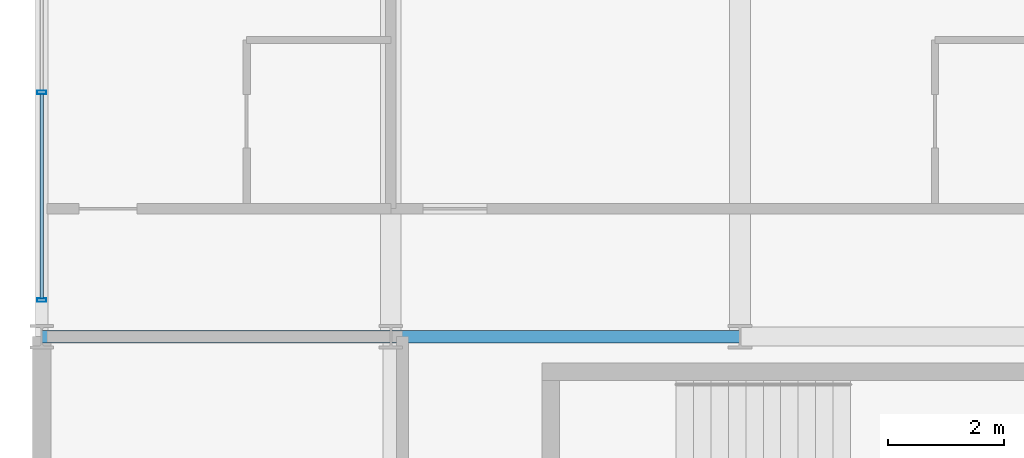
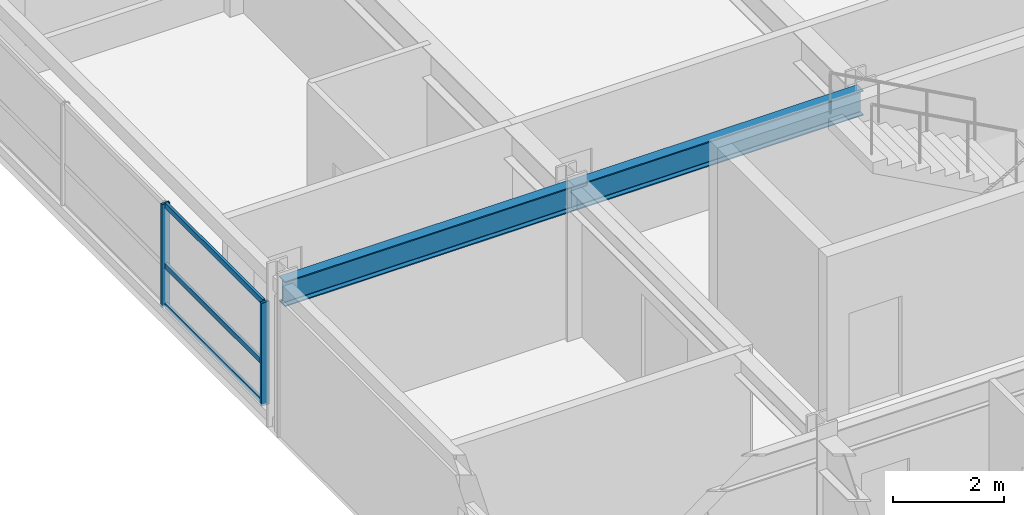
# One storey, part 6 of 20: 5 members, 2 beams, 1 element without a shape of its own.
"""IFC4 building model written with IfcOpenShell, lengths in metres."""

from ifc_helpers import new_model, si_unit, direction, frame, origin, origin_2d, place, context, subcontext, project, spatial, hollow_rectangle, i_section, extrude, material, material_profile, profile_set, type_object, element, aggregate, save


model = new_model("IFC4")

# Units and contexts
model_context = context("Model", 3, precision=1e-05, world=origin(), true_north=direction((0.0, 1.0)))
body_context = subcontext(model_context, "Body", "Model", "MODEL_VIEW")
ifc_project = project(units=[si_unit("LENGTHUNIT", "METRE"), si_unit("AREAUNIT", "SQUARE_METRE"), si_unit("VOLUMEUNIT", "CUBIC_METRE"), si_unit("PLANEANGLEUNIT", "RADIAN"), si_unit("MASSUNIT", "GRAM", prefix="KILO")], contexts=[model_context])

# Site, building, storey
site_placement = place(None, origin())
site = spatial("IfcSite", under=ifc_project, at=site_placement, CompositionType="ELEMENT")
building_placement = place(site_placement, origin())
building = spatial("IfcBuilding", under=site, at=building_placement, Name="Kaldorvane Square Convention Centre", CompositionType="ELEMENT")
storey_placement = place(building_placement, frame((0.0, 0.0, 56.399993896484375)))
storey = spatial("IfcBuildingStorey", under=building, at=storey_placement, Name="L13", CompositionType="ELEMENT", Elevation=56.399993896484375)

# Beams
ifc_material_1 = material(Name="Steel ASTM A992 Gr. 50", Category="steel")
ifc_material_profile_1 = material_profile(ifc_material_1, i_section(OverallWidth=0.213897705078125, OverallDepth=0.549102783203125, WebThickness=0.0146942138671875, FlangeThickness=0.0236053466796875, FilletRadius=0.0126953125, at=origin_2d()), Name="W21X93")
ifc_profile_set_1 = profile_set([ifc_material_profile_1], Name="Steel ASTM A992 Gr. 50")
beam_type = type_object("IfcBeamType", Name="BM-GR-W21X93", PredefinedType="BEAM", material=ifc_profile_set_1)
for number, where, z_axis, x_axis, name in (
    (1, (30.0, 105.0, 3.011505126953125), (1.0, 0.0, 0.0), (0.0, 1.0, 0.0), "Primary Girder (L13)"),
    (2, (36.0, 105.0, 3.011505126953125), (1.0, 0.0, 0.0), (0.0, 1.0, 0.0), "Primary Girder (L13)"),
):
    element("IfcBeam", number, at=place(storey_placement, frame(where, z_axis=z_axis, x_axis=x_axis)), inside=storey, type_object=beam_type, Name=name, PredefinedType="BEAM", context=body_context, shape_type="SweptSolid", body=[
        extrude(i_section(OverallWidth=0.213897705078125, OverallDepth=0.549102783203125, WebThickness=0.0146942138671875, FlangeThickness=0.0236053466796875, FilletRadius=0.0126953125, at=origin_2d()), origin(), (0.0, 0.0, 1.0), 6.0),
    ])

# Curtain wall, members
ifc_material_2 = material(Name="Anodized Aluminum and Low-E Insulated Glazing", Category="aluminium")
curtain_wall_type = type_object("IfcCurtainWallType", Name="CW-UNI-HTL-B", PredefinedType="USERDEFINED", material=ifc_material_2)
curtain_wall_placement = place(storey_placement, origin())
curtain_wall = element("IfcCurtainWall", 3, at=curtain_wall_placement, inside=storey, type_object=curtain_wall_type, Name="Curtain Wall CW-11 (L13)", ObjectType="UNITISED GLAZING", PredefinedType="USERDEFINED")
ifc_material_profile_2 = material_profile(ifc_material_2, hollow_rectangle(XDim=0.05999755859375, YDim=0.160003662109375, WallThickness=0.003204345703125, at=origin_2d()), Name="CWM-160X60")
ifc_profile_set_2 = profile_set([ifc_material_profile_2], Name="Anodized Aluminum and Low-E Insulated Glazing")
member_type_1 = type_object("IfcMemberType", Name="CW-MUL-160", PredefinedType="MULLION", material=ifc_profile_set_2)
member_1_placement = place(storey_placement, frame((30.0, 109.19999694824219, 0.1500091552734375), z_axis=(0.0, 0.0, 1.0), x_axis=(0.0, -1.0, 0.0)))
member_1 = element("IfcMember", 4, at=member_1_placement, type_object=member_type_1, Name="CW-11 mullion 3", PredefinedType="MULLION", context=body_context, shape_type="SweptSolid", body=[
    extrude(hollow_rectangle(XDim=0.05999755859375, YDim=0.160003662109375, WallThickness=0.003204345703125, at=origin_2d()), origin(), (0.0, 0.0, 1.0), 2.2599945068359375),
])
member_2_placement = place(storey_placement, frame((30.0, 105.6300048828125, 0.1500091552734375), z_axis=(0.0, 0.0, 1.0), x_axis=(0.0, -1.0, 0.0)))
member_2 = element("IfcMember", 5, at=member_2_placement, type_object=member_type_1, Name="CW-11 mullion 4", PredefinedType="MULLION", context=body_context, shape_type="SweptSolid", body=[
    extrude(hollow_rectangle(XDim=0.05999755859375, YDim=0.160003662109375, WallThickness=0.003204345703125, at=origin_2d()), origin(), (0.0, 0.0, 1.0), 2.2599945068359375),
])
ifc_material_profile_3 = material_profile(ifc_material_2, hollow_rectangle(XDim=0.05499267578125, YDim=0.1199951171875, WallThickness=0.0030059814453125, at=origin_2d()), Name="CWT-120X55")
ifc_profile_set_3 = profile_set([ifc_material_profile_3], Name="Anodized Aluminum and Low-E Insulated Glazing")
member_type_2 = type_object("IfcMemberType", Name="CW-TRN-120", PredefinedType="USERDEFINED", material=ifc_profile_set_3)
member_3_placement = place(storey_placement, frame((30.0, 109.16999816894531, 0.1775054931640625), z_axis=(0.0, -1.0, 0.0), x_axis=(1.0, 0.0, 0.0)))
member_3 = element("IfcMember", 6, at=member_3_placement, type_object=member_type_2, Name="CW-11 transom 3.1", ObjectType="TRANSOM", PredefinedType="USERDEFINED", context=body_context, shape_type="SweptSolid", body=[
    extrude(hollow_rectangle(XDim=0.05499267578125, YDim=0.1199951171875, WallThickness=0.0030059814453125, at=origin_2d()), origin(), (0.0, 0.0, 1.0), 3.5099945068359375),
])
member_4_placement = place(storey_placement, frame((30.0, 109.16999816894531, 1.0500030517578125), z_axis=(0.0, -1.0, 0.0), x_axis=(1.0, 0.0, 0.0)))
member_4 = element("IfcMember", 7, at=member_4_placement, type_object=member_type_2, Name="CW-11 transom 3.2", ObjectType="TRANSOM", PredefinedType="USERDEFINED", context=body_context, shape_type="SweptSolid", body=[
    extrude(hollow_rectangle(XDim=0.05499267578125, YDim=0.1199951171875, WallThickness=0.0030059814453125, at=origin_2d()), origin(), (0.0, 0.0, 1.0), 3.5099945068359375),
])
member_5_placement = place(storey_placement, frame((30.0, 109.16999816894531, 2.38250732421875), z_axis=(0.0, -1.0, 0.0), x_axis=(1.0, 0.0, 0.0)))
member_5 = element("IfcMember", 8, at=member_5_placement, type_object=member_type_2, Name="CW-11 transom 3.3", ObjectType="TRANSOM", PredefinedType="USERDEFINED", context=body_context, shape_type="SweptSolid", body=[
    extrude(hollow_rectangle(XDim=0.05499267578125, YDim=0.1199951171875, WallThickness=0.0030059814453125, at=origin_2d()), origin(), (0.0, 0.0, 1.0), 3.5099945068359375),
])
aggregate(curtain_wall, [member_1, member_2, member_3, member_4, member_5])

save(model, "model.ifc")
